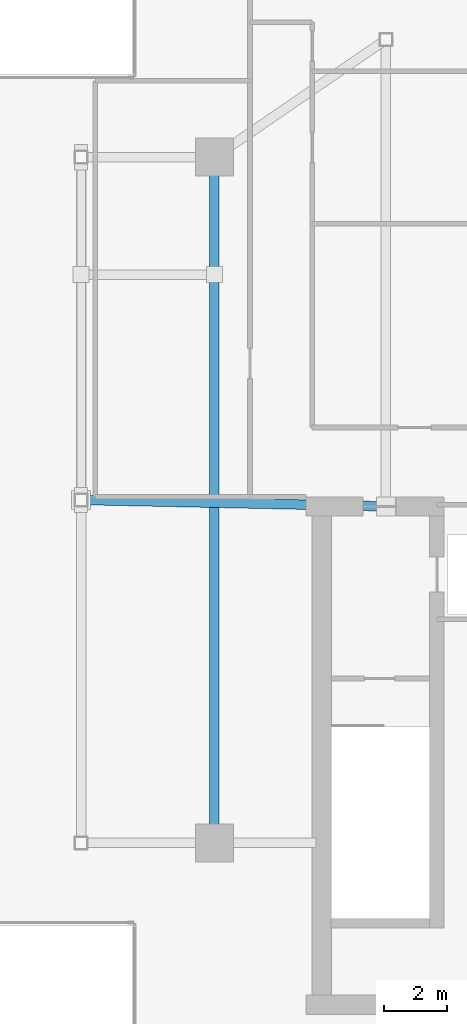
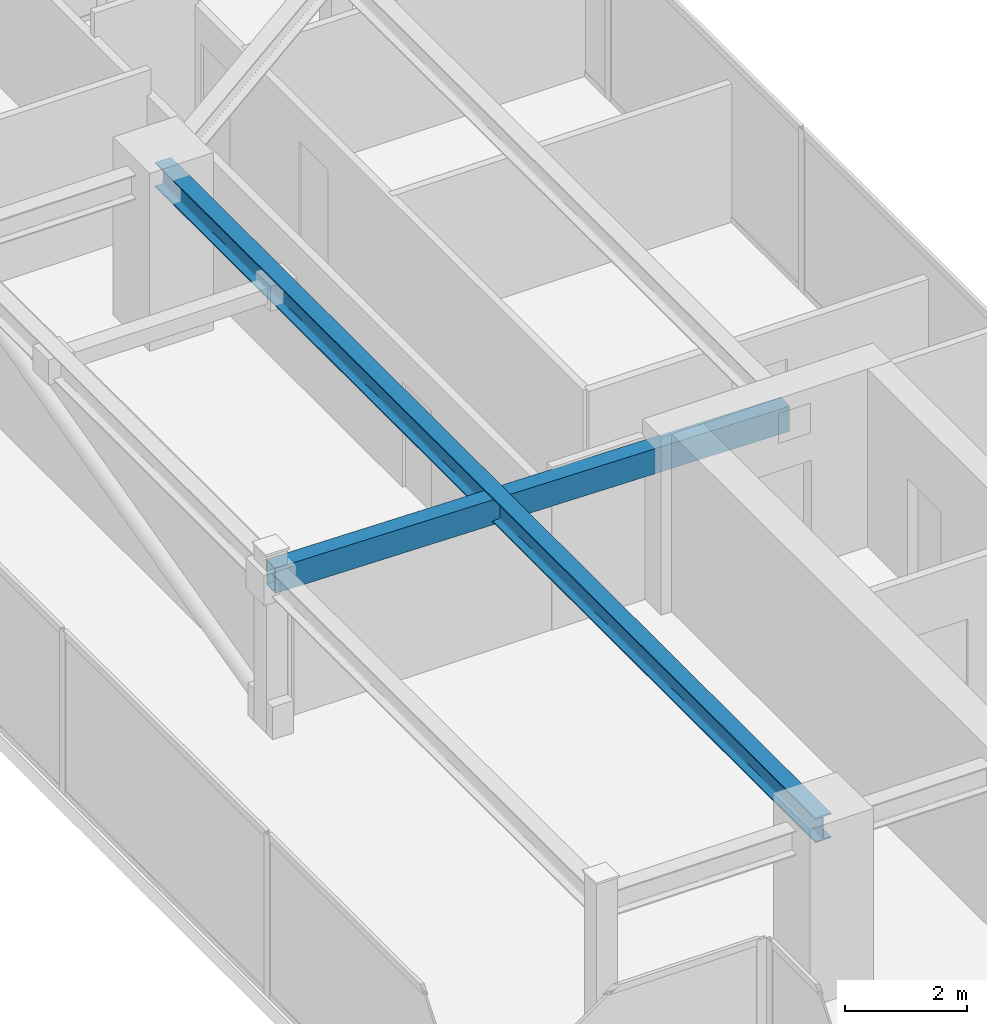
# One storey, part 8 of 16: 1 beam, 1 member.
"""IFC4 building model written with IfcOpenShell, lengths in metres."""

from ifc_helpers import new_model, si_unit, direction, frame, origin, origin_2d, place, context, subcontext, project, spatial, hollow_rectangle, i_section, extrude, source, transform, mapped, material, material_profile, profile_set, type_object, type_shapes, element, save


model = new_model("IFC4")

# Units and contexts
model_context = context("Model", 3, precision=1e-05, world=origin(), true_north=direction((0.0, 1.0)))
body_context = subcontext(model_context, "Body", "Model", "MODEL_VIEW")
ifc_project = project(units=[si_unit("LENGTHUNIT", "METRE"), si_unit("AREAUNIT", "SQUARE_METRE"), si_unit("VOLUMEUNIT", "CUBIC_METRE"), si_unit("PLANEANGLEUNIT", "RADIAN"), si_unit("MASSUNIT", "GRAM", prefix="KILO")], contexts=[model_context])

# Site, building, storey
site_placement = place(None, origin())
site = spatial("IfcSite", under=ifc_project, at=site_placement, CompositionType="ELEMENT")
building_placement = place(site_placement, origin())
building = spatial("IfcBuilding", under=site, at=building_placement, Name="Krantzveldt Concourse Tower", CompositionType="ELEMENT")
storey_placement = place(building_placement, frame((0.0, 0.0, 385.449951171875)))
storey = spatial("IfcBuildingStorey", under=building, at=storey_placement, Name="L95", CompositionType="ELEMENT", Elevation=385.449951171875)

# Beam
ifc_material_1 = material(Name="Steel S355JR", Category="steel")
ifc_material_profile_1 = material_profile(ifc_material_1, i_section(OverallWidth=0.300048828125, OverallDepth=0.489990234375, WebThickness=0.011962890625, FlangeThickness=0.02294921875, FilletRadius=0.027099609375, at=origin_2d()), Name="Steel S355JR", Category="steel")
ifc_profile_set_1 = profile_set([ifc_material_profile_1], Name="Steel S355JR - HEA 500")
beam_type = type_object("IfcBeamType", Name="BM-B-HEA500", PredefinedType="BEAM", material=ifc_profile_set_1)
shared_shape_1 = source(origin(), body_context, "Body", "SweptSolid", [
    extrude(i_section(OverallWidth=0.300048828125, OverallDepth=0.489990234375, WebThickness=0.011962890625, FlangeThickness=0.02294921875, FilletRadius=0.027099609375, at=origin_2d()), origin(), (0.0, 0.0, 1.0), 21.60009765625),
])
type_shapes(beam_type, [shared_shape_1])
beam_placement = place(storey_placement, frame((25.199951171875, 15.89990234375, 3.005126953125), z_axis=(0.0, 1.0, 0.0), x_axis=(-1.0, 0.0, 0.0)))
element("IfcBeam", 1, at=beam_placement, inside=storey, type_object=beam_type, Name="L95 Crown Girder WEST-8", PredefinedType="BEAM", context=body_context, shape_type="MappedRepresentation", body=[
    mapped(shared_shape_1, transform((0.0, 0.0, 0.0), x_axis=(1.0, 0.0, 0.0), y_axis=(0.0, 1.0, 0.0), z_axis=(0.0, 0.0, 1.0), scale=1.0)),
])

# Member
ifc_material_2 = material(Name="Steel S355J2", Category="steel")
ifc_material_profile_2 = material_profile(ifc_material_2, hollow_rectangle(XDim=0.300048828125, YDim=0.5, WallThickness=0.02490234375, at=origin_2d()), Name="Steel S355J2", Category="steel")
ifc_profile_set_2 = profile_set([ifc_material_profile_2], Name="Steel S355J2 - RHS 500x300x25")
member_type = type_object("IfcMemberType", Name="MB-CR-RHS500", PredefinedType="RAFTER", material=ifc_profile_set_2)
shared_shape_2 = source(origin(), body_context, "Body", "SweptSolid", [
    extrude(hollow_rectangle(XDim=0.300048828125, YDim=0.5, WallThickness=0.02490234375, at=origin_2d()), origin(), (0.0, 0.0, 1.0), 9.602294921875),
])
type_shapes(member_type, [shared_shape_2])
member_placement = place(storey_placement, frame((21.0, 26.699951171875, 2.949951171875), z_axis=(0.99978316702, -0.020823518992, 0.0), x_axis=(0.020823518992, 0.99978316702, 0.0)))
element("IfcMember", 2, at=member_placement, inside=storey, type_object=member_type, Name="CRF-L95-WEST-1", PredefinedType="RAFTER", context=body_context, shape_type="MappedRepresentation", body=[
    mapped(shared_shape_2, transform((0.0, 0.0, 0.0), x_axis=(1.0, 0.0, 0.0), y_axis=(0.0, 1.0, 0.0), z_axis=(0.0, 0.0, 1.0), scale=1.0)),
])

save(model, "model.ifc")
